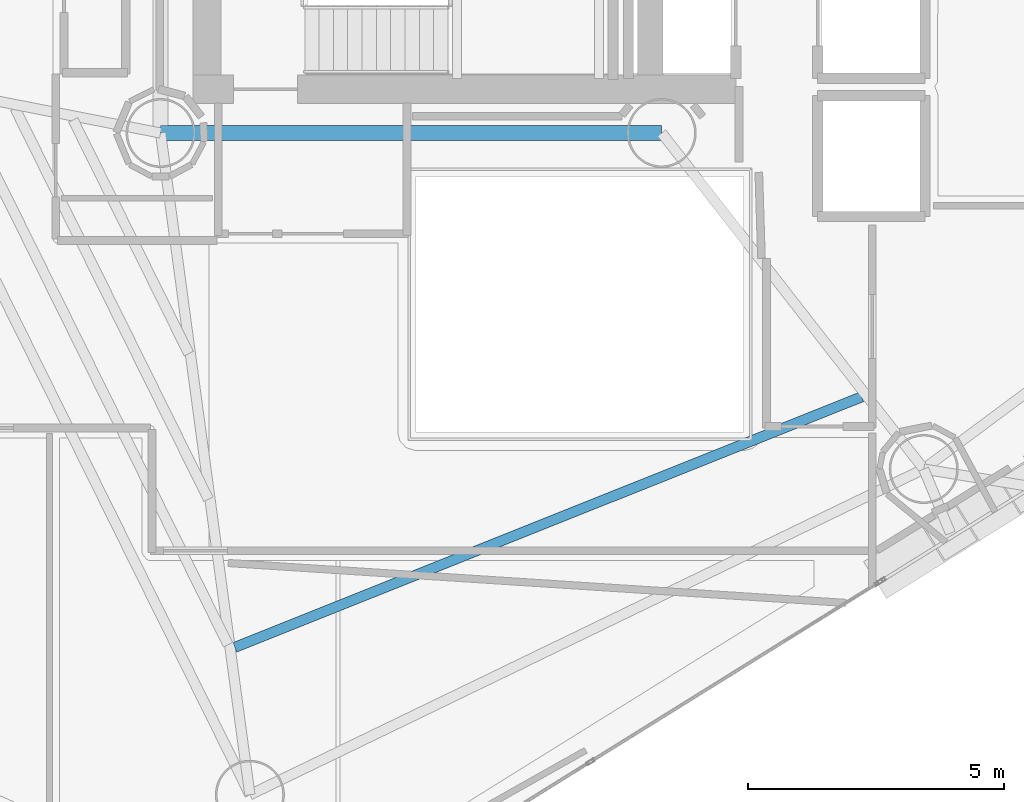
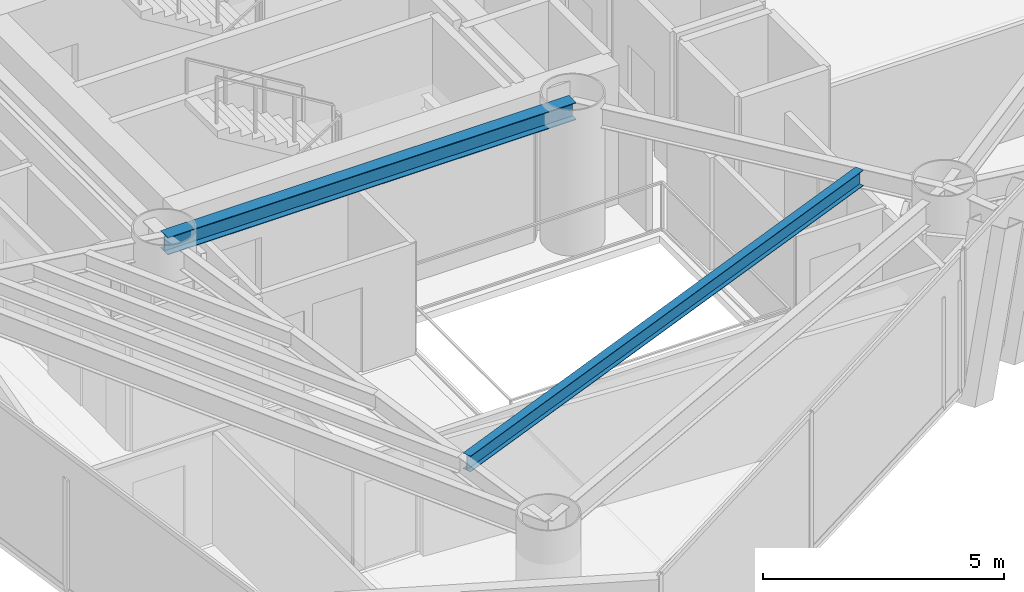
# One storey, part 4 of 22: 2 beams.
"""IFC4 building model written with IfcOpenShell, lengths in metres."""

from ifc_helpers import new_model, si_unit, direction, frame, origin, origin_2d, place, context, subcontext, project, spatial, i_section, extrude, material, material_profile, profile_set, type_object, element, save


model = new_model("IFC4")

# Units and contexts
model_context = context("Model", 3, precision=1e-05, world=origin(), true_north=direction((0.0, 1.0)))
body_context = subcontext(model_context, "Body", "Model", "MODEL_VIEW")
ifc_project = project(units=[si_unit("LENGTHUNIT", "METRE"), si_unit("AREAUNIT", "SQUARE_METRE"), si_unit("VOLUMEUNIT", "CUBIC_METRE"), si_unit("PLANEANGLEUNIT", "RADIAN"), si_unit("MASSUNIT", "GRAM", prefix="KILO")], contexts=[model_context])

# Site, building, storey
site_placement = place(None, origin())
site = spatial("IfcSite", under=ifc_project, at=site_placement, CompositionType="ELEMENT")
building_placement = place(site_placement, origin())
building = spatial("IfcBuilding", under=site, at=building_placement, Name="Qianvela Tower", CompositionType="ELEMENT")
storey_placement = place(building_placement, frame((0.0, 0.0, 177.199951171875)))
storey = spatial("IfcBuildingStorey", under=building, at=storey_placement, Name="L45", CompositionType="ELEMENT", Elevation=177.199951171875)

# Beams
ifc_material_1 = material(Name="Steel Q355B", Category="steel")
ifc_material_profile_1 = material_profile(ifc_material_1, i_section(OverallWidth=0.300048828125, OverallDepth=0.43994140625, WebThickness=0.010986328125, FlangeThickness=0.01806640625, at=origin_2d()), Name="HM440x300x11x18")
ifc_profile_set_1 = profile_set([ifc_material_profile_1], Name="Steel Q355B")
beam_type_1 = type_object("IfcBeamType", Name="BM-HM440-COLL", PredefinedType="BEAM", material=ifc_profile_set_1)
beam_1_placement = place(storey_placement, frame((28.60009765625, 23.85009765625, 3.298095703125), z_axis=(1.0, 0.0, 0.0), x_axis=(0.0, 1.0, 0.0)))
element("IfcBeam", 1, at=beam_1_placement, inside=storey, type_object=beam_type_1, Name="L45 Core Ring Collector Girder CC1", PredefinedType="BEAM", context=body_context, shape_type="SweptSolid", body=[
    extrude(i_section(OverallWidth=0.300048828125, OverallDepth=0.43994140625, WebThickness=0.010986328125, FlangeThickness=0.01806640625, at=origin_2d()), origin(), (0.0, 0.0, 1.0), 9.7998046875),
])
ifc_material_2 = material(Name="Steel Q355B", Category="steel")
ifc_material_profile_2 = material_profile(ifc_material_2, i_section(OverallWidth=0.199951171875, OverallDepth=0.39990234375, WebThickness=0.008056640625, FlangeThickness=0.012939453125, at=origin_2d()), Name="HN400x200x8x13")
ifc_profile_set_2 = profile_set([ifc_material_profile_2], Name="Steel Q355B")
beam_type_2 = type_object("IfcBeamType", Name="BM-HN400-JOIST", PredefinedType="JOIST", material=ifc_profile_set_2)
beam_2_placement = place(storey_placement, frame((30.0517578125, 13.79150390625, 3.318115234375), z_axis=(0.928611849806, 0.371052600584, 0.0), x_axis=(-0.371052600584, 0.928611849806, 0.0)))
element("IfcBeam", 2, at=beam_2_placement, inside=storey, type_object=beam_type_2, Name="L45 Secondary Composite Floor Joist 5.3", PredefinedType="JOIST", context=body_context, shape_type="SweptSolid", body=[
    extrude(i_section(OverallWidth=0.199951171875, OverallDepth=0.39990234375, WebThickness=0.008056640625, FlangeThickness=0.012939453125, at=origin_2d()), origin(), (0.0, 0.0, 1.0), 13.19873046875),
])

save(model, "model.ifc")
